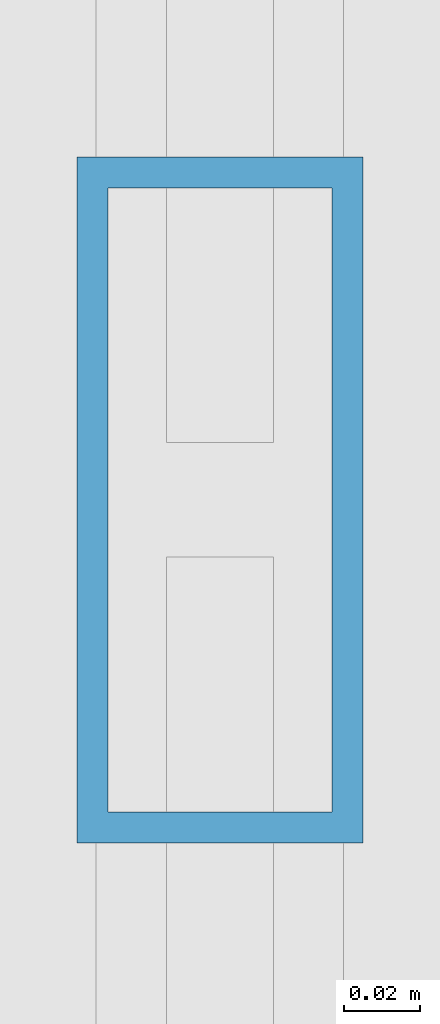
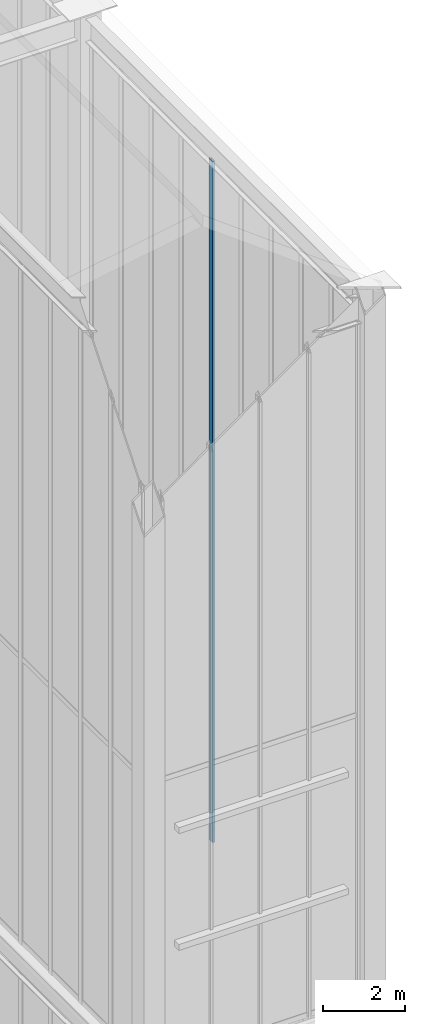
# One storey, part 69 of 135: 1 member, 1 element without a shape of its own.
"""IFC4 building model written with IfcOpenShell, lengths in metres."""

from ifc_helpers import new_model, si_unit, direction, frame, origin, origin_2d, place, context, subcontext, project, spatial, hollow_rectangle, extrude, source, transform, mapped, material, layer, layer_set, material_profile, profile_set, type_object, element, aggregate, save


model = new_model("IFC4")

# Units and contexts
model_context = context("Model", 3, precision=1e-05, world=origin(), true_north=direction((0.0, 1.0)))
body_context = subcontext(model_context, "Body", "Model", "MODEL_VIEW")
ifc_project = project(units=[si_unit("LENGTHUNIT", "METRE"), si_unit("AREAUNIT", "SQUARE_METRE"), si_unit("VOLUMEUNIT", "CUBIC_METRE"), si_unit("PLANEANGLEUNIT", "RADIAN"), si_unit("MASSUNIT", "GRAM", prefix="KILO")], contexts=[model_context])

# Site, building, storey
site_placement = place(None, origin())
site = spatial("IfcSite", under=ifc_project, at=site_placement, CompositionType="ELEMENT")
building_placement = place(site_placement, origin())
building = spatial("IfcBuilding", under=site, at=building_placement, Name="Giltprow Tower", CompositionType="ELEMENT")
storey_placement = place(building_placement, frame((0.0, 0.0, 352.699951171875)))
storey = spatial("IfcBuildingStorey", under=building, at=storey_placement, Name="L92", CompositionType="ELEMENT", Elevation=352.699951171875)

# Curtain wall, member
ifc_material = material(Name="Anodized bronze", Category="metal")
ifc_layer = layer(ifc_material, 0.179931640625, Name="Anodized bronze")
ifc_layer_set = layer_set([ifc_layer], Name="Anodized bronze")
curtain_wall_type = type_object("IfcCurtainWallType", Name="CW-CROWN-LANTERN", PredefinedType="NOTDEFINED", material=ifc_layer_set)
curtain_wall_placement = place(storey_placement, origin())
curtain_wall = element("IfcCurtainWall", 1, at=curtain_wall_placement, inside=storey, type_object=curtain_wall_type, Name="Crown East Upper Lantern Glazing 2", PredefinedType="NOTDEFINED")
ifc_material_profile = material_profile(ifc_material, hollow_rectangle(XDim=0.074951171875, YDim=0.179931640625, WallThickness=0.008056640625, at=origin_2d()), Name="RHS 180x75x8")
ifc_profile_set = profile_set([ifc_material_profile], Name="Anodized bronze")
member_type = type_object("IfcMemberType", Name="CW-MULLION-180x75", PredefinedType="MULLION", material=ifc_profile_set)
shared_shape = source(origin(), body_context, "Body", "SweptSolid", [
    extrude(hollow_rectangle(XDim=0.074951171875, YDim=0.179931640625, WallThickness=0.008056640625, at=origin_2d()), origin(), (0.0, 0.0, 1.0), 20.406005859375),
])
member_placement = place(storey_placement, frame((50.550048828125, 31.2109375, 17.25), z_axis=(0.0, 0.0, 1.0), x_axis=(1.0, 0.0, 0.0)))
member = element("IfcMember", 2, at=member_placement, type_object=member_type, Name="Crown East Upper Lantern Glazing 2 Mullion 6", PredefinedType="MULLION", context=body_context, shape_type="MappedRepresentation", body=[
    mapped(shared_shape, transform((0.0, 0.0, 0.0), x_axis=(1.0, 0.0, 0.0), y_axis=(0.0, 1.0, 0.0), z_axis=(0.0, 0.0, 1.0), scale=1.0)),
])
aggregate(curtain_wall, [member])

save(model, "model.ifc")
